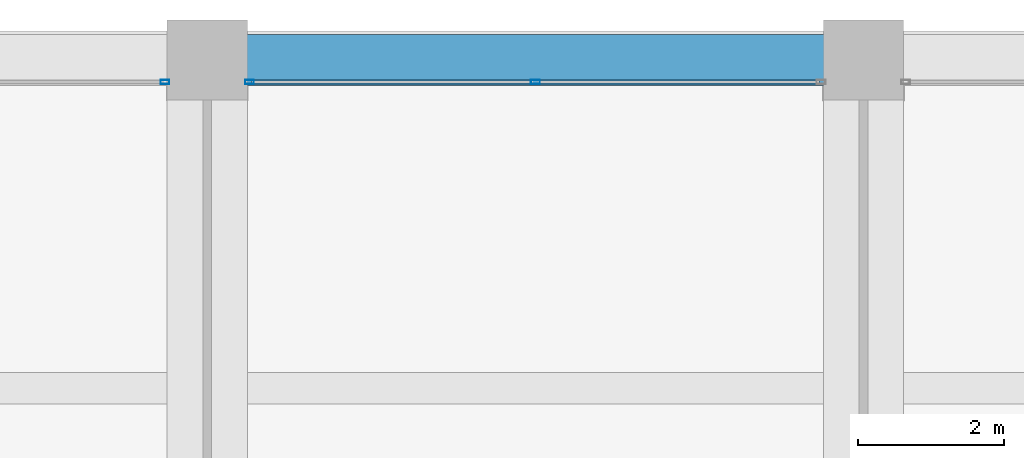
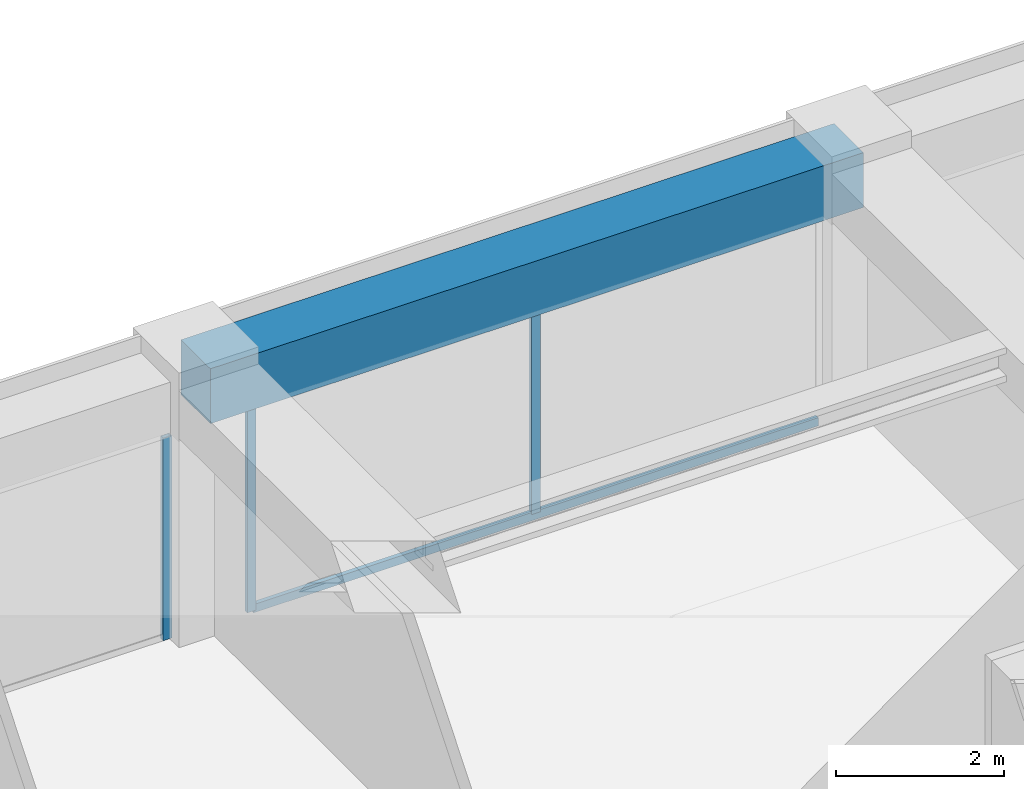
# One storey, part 33 of 44: 4 members, 1 beam, 2 elements without a shape of their own.
"""IFC4 building model written with IfcOpenShell, lengths in metres."""

from ifc_helpers import new_model, si_unit, direction, frame, origin, origin_2d, place, context, subcontext, project, spatial, rectangle, hollow_rectangle, extrude, material, material_profile, profile_set, type_object, element, aggregate, save


model = new_model("IFC4")

# Units and contexts
model_context = context("Model", 3, precision=1e-05, world=origin(), true_north=direction((0.0, 1.0)))
body_context = subcontext(model_context, "Body", "Model", "MODEL_VIEW")
ifc_project = project(units=[si_unit("LENGTHUNIT", "METRE"), si_unit("AREAUNIT", "SQUARE_METRE"), si_unit("VOLUMEUNIT", "CUBIC_METRE"), si_unit("PLANEANGLEUNIT", "RADIAN"), si_unit("MASSUNIT", "GRAM", prefix="KILO")], contexts=[model_context])

# Site, building, storey
site_placement = place(None, origin())
site = spatial("IfcSite", under=ifc_project, at=site_placement, CompositionType="ELEMENT")
building_placement = place(site_placement, origin())
building = spatial("IfcBuilding", under=site, at=building_placement, Name="Zorevar Civic Tower", CompositionType="ELEMENT")
storey_placement = place(building_placement, frame((0.0, 0.0, 283.39990234375)))
storey = spatial("IfcBuildingStorey", under=building, at=storey_placement, Name="L69", CompositionType="ELEMENT", Elevation=283.39990234375)

# Curtain wall, member
ifc_material_1 = material(Name="Dark grey solar-control glass in black aluminium frame", Category="aluminium")
curtain_wall_type = type_object("IfcCurtainWallType", Name="Curtain wall CW5 top zone", PredefinedType="NOTDEFINED", material=ifc_material_1)
curtain_wall_1_placement = place(storey_placement, origin())
curtain_wall_1 = element("IfcCurtainWall", 1, at=curtain_wall_1_placement, inside=storey, type_object=curtain_wall_type, Name="CW5 L69", PredefinedType="NOTDEFINED")
ifc_material_2 = material(Name="Aluminium, black anodised", Category="aluminium")
ifc_material_profile_1 = material_profile(ifc_material_2, hollow_rectangle(XDim=0.06005859375, YDim=0.1201171875, WallThickness=0.0029296875, at=origin_2d()), Name="AL 120x60x3")
ifc_profile_set_1 = profile_set([ifc_material_profile_1], Name="Aluminium, black anodised")
member_type_1 = type_object("IfcMemberType", Name="CW5 mullion AL 120x60x3", PredefinedType="MULLION", material=ifc_profile_set_1)
member_1_placement = place(storey_placement, frame((26.419921875, 44.699951171875, 0.0), z_axis=(0.0, 0.0, 1.0), x_axis=(0.0, 1.0, 0.0)))
member_1 = element("IfcMember", 2, at=member_1_placement, type_object=member_type_1, Name="CW5 mullion 3", PredefinedType="MULLION", context=body_context, shape_type="SweptSolid", body=[
    extrude(hollow_rectangle(XDim=0.06005859375, YDim=0.1201171875, WallThickness=0.0029296875, at=origin_2d()), origin(), (0.0, 0.0, 1.0), 2.9501953125),
])
aggregate(curtain_wall_1, [member_1])

# Curtain wall, members
curtain_wall_2_placement = place(storey_placement, origin())
curtain_wall_2 = element("IfcCurtainWall", 3, at=curtain_wall_2_placement, inside=storey, type_object=curtain_wall_type, Name="CW5 L69", PredefinedType="NOTDEFINED")
member_2_placement = place(storey_placement, frame((27.580078125, 44.699951171875, 0.0), z_axis=(0.0, 0.0, 1.0), x_axis=(0.0, 1.0, 0.0)))
member_2 = element("IfcMember", 4, at=member_2_placement, type_object=member_type_1, Name="CW5 mullion 1", PredefinedType="MULLION", context=body_context, shape_type="SweptSolid", body=[
    extrude(hollow_rectangle(XDim=0.06005859375, YDim=0.1201171875, WallThickness=0.0029296875, at=origin_2d()), origin(), (0.0, 0.0, 1.0), 2.9501953125),
])
member_3_placement = place(storey_placement, frame((31.5, 44.699951171875, 0.06005859375), z_axis=(0.0, 0.0, 1.0), x_axis=(0.0, 1.0, 0.0)))
member_3 = element("IfcMember", 5, at=member_3_placement, type_object=member_type_1, Name="CW5 mullion 2", PredefinedType="MULLION", context=body_context, shape_type="SweptSolid", body=[
    extrude(hollow_rectangle(XDim=0.06005859375, YDim=0.1201171875, WallThickness=0.0029296875, at=origin_2d()), origin(), (0.0, 0.0, 1.0), 2.89013671875),
])
ifc_material_3 = material(Name="Aluminium, black anodised", Category="aluminium")
ifc_material_profile_2 = material_profile(ifc_material_3, hollow_rectangle(XDim=0.06005859375, YDim=0.1201171875, WallThickness=0.0029296875, at=origin_2d()), Name="AL 120x60x3")
ifc_profile_set_2 = profile_set([ifc_material_profile_2], Name="Aluminium, black anodised")
member_type_2 = type_object("IfcMemberType", Name="CW5 transom AL 120x60x3", PredefinedType="USERDEFINED", material=ifc_profile_set_2)
member_4_placement = place(storey_placement, frame((27.610107421875, 44.699951171875, 0.030029296875), z_axis=(1.0, 0.0, 0.0), x_axis=(0.0, 1.0, 0.0)))
member_4 = element("IfcMember", 6, at=member_4_placement, type_object=member_type_2, Name="CW5 sill transom", ObjectType="TRANSOM", PredefinedType="USERDEFINED", context=body_context, shape_type="SweptSolid", body=[
    extrude(hollow_rectangle(XDim=0.06005859375, YDim=0.1201171875, WallThickness=0.0029296875, at=origin_2d()), origin(), (0.0, 0.0, 1.0), 7.77978515625),
])
aggregate(curtain_wall_2, [member_2, member_3, member_4])

# Beam
ifc_material_4 = material(Name="Concrete C50/60", Category="concrete")
ifc_material_profile_3 = material_profile(ifc_material_4, rectangle(XDim=0.699951171875, YDim=0.800048828125, at=origin_2d()), Name="RC 700x800")
ifc_profile_set_3 = profile_set([ifc_material_profile_3], Name="Concrete C50/60")
beam_type = type_object("IfcBeamType", Name="Edge beam RC 700x800", PredefinedType="SPANDREL", material=ifc_profile_set_3)
beam_placement = place(storey_placement, frame((27.0, 45.0, 3.35009765625), z_axis=(1.0, 0.0, 0.0), x_axis=(0.0, 1.0, 0.0)))
element("IfcBeam", 7, at=beam_placement, inside=storey, type_object=beam_type, Name="Edge beam L70", PredefinedType="SPANDREL", context=body_context, shape_type="SweptSolid", body=[
    extrude(rectangle(XDim=0.699951171875, YDim=0.800048828125, at=origin_2d()), origin(), (0.0, 0.0, 1.0), 9.0),
])

save(model, "model.ifc")
